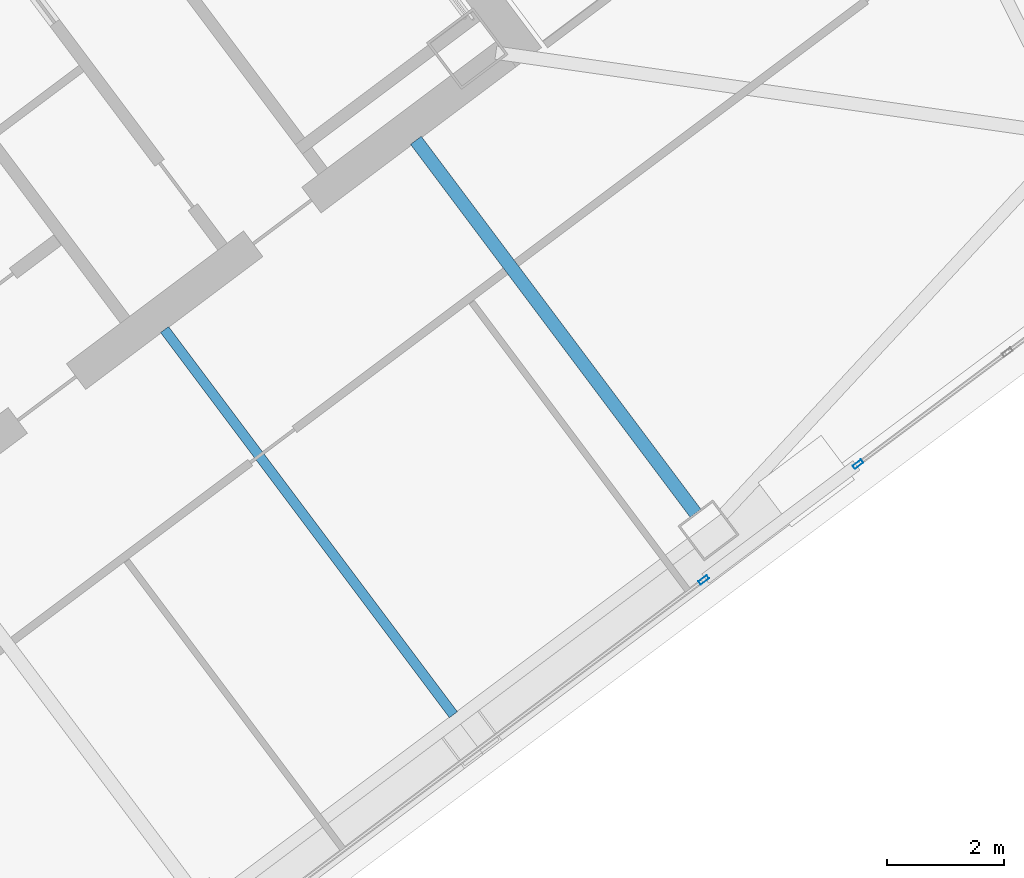
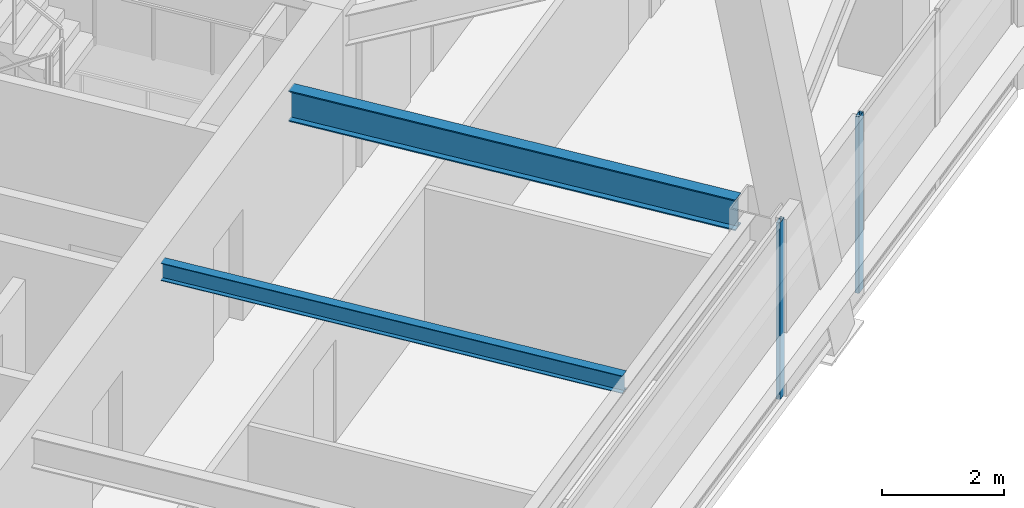
# One storey, part 33 of 55: 2 beams, 2 members, 2 elements without a shape of their own.
"""IFC4 building model written with IfcOpenShell, lengths in metres."""

from ifc_helpers import new_model, si_unit, direction, frame, origin, origin_2d, place, context, subcontext, project, spatial, hollow_rectangle, i_section, extrude, material, material_profile, profile_set, type_object, element, aggregate, save


model = new_model("IFC4")

# Units and contexts
model_context = context("Model", 3, precision=1e-05, world=origin(), true_north=direction((0.0, 1.0)))
body_context = subcontext(model_context, "Body", "Model", "MODEL_VIEW")
ifc_project = project(units=[si_unit("LENGTHUNIT", "METRE"), si_unit("AREAUNIT", "SQUARE_METRE"), si_unit("VOLUMEUNIT", "CUBIC_METRE"), si_unit("PLANEANGLEUNIT", "RADIAN"), si_unit("MASSUNIT", "GRAM", prefix="KILO")], contexts=[model_context])

# Site, building, storey
site_placement = place(None, origin())
site = spatial("IfcSite", under=ifc_project, at=site_placement, CompositionType="ELEMENT")
building_placement = place(site_placement, origin())
building = spatial("IfcBuilding", under=site, at=building_placement, Name="Tashvorn Skyway Center", CompositionType="ELEMENT")
storey_placement = place(building_placement, frame((0.0, 0.0, 178.300048828125)))
storey = spatial("IfcBuildingStorey", under=building, at=storey_placement, Name="L48", CompositionType="ELEMENT", Elevation=178.300048828125)

# Beams
ifc_material_1 = material(Name="Steel ASTM A992 Grade 50", Category="steel")
ifc_material_profile_1 = material_profile(ifc_material_1, i_section(OverallWidth=0.22998046875, OverallDepth=0.616943359375, WebThickness=0.01318359375, FlangeThickness=0.022216796875, at=origin_2d()), Name="W24X94")
ifc_profile_set_1 = profile_set([ifc_material_profile_1], Name="Steel ASTM A992 Grade 50")
beam_type_1 = type_object("IfcBeamType", Name="BM-BEAM-W24X94", PredefinedType="BEAM", material=ifc_profile_set_1)
beam_1_placement = place(storey_placement, frame((127.7880859375, 22.615966796875, 3.0615234375), z_axis=(-0.599995117266, 0.800003662027, 0.0), x_axis=(-0.800003662027, -0.599995117266, 0.0)))
element("IfcBeam", 1, at=beam_1_placement, inside=storey, type_object=beam_type_1, Name="Tower 2 L48 Primary Floor Girder FC-S2", PredefinedType="BEAM", context=body_context, shape_type="SweptSolid", body=[
    extrude(i_section(OverallWidth=0.22998046875, OverallDepth=0.616943359375, WebThickness=0.01318359375, FlangeThickness=0.022216796875, at=origin_2d()), origin(), (0.0, 0.0, 1.0), 8.000244140625),
])
ifc_material_profile_2 = material_profile(ifc_material_1, i_section(OverallWidth=0.1708984375, OverallDepth=0.35498046875, WebThickness=0.007080078125, FlangeThickness=0.01171875, at=origin_2d()), Name="W14X34")
ifc_profile_set_2 = profile_set([ifc_material_profile_2], Name="Steel ASTM A992 Grade 50")
beam_type_2 = type_object("IfcBeamType", Name="BM-JOIST-W14X34", PredefinedType="JOIST", material=ifc_profile_set_2)
beam_2_placement = place(storey_placement, frame((118.674072265625, 25.76806640625, 3.1923828125), z_axis=(0.59999527236, -0.800003545708, 0.0), x_axis=(0.800003545708, 0.59999527236, 0.0)))
element("IfcBeam", 2, at=beam_2_placement, inside=storey, type_object=beam_type_2, Name="Tower 2 L48 Secondary Composite Joist JS", PredefinedType="JOIST", context=body_context, shape_type="SweptSolid", body=[
    extrude(i_section(OverallWidth=0.1708984375, OverallDepth=0.35498046875, WebThickness=0.007080078125, FlangeThickness=0.01171875, at=origin_2d()), origin(), (0.0, 0.0, 1.0), 8.2626953125),
])

# Curtain wall, member
ifc_material_2 = material(Name="Thermally broken bronze-anodized aluminium 6063-T6", Category="aluminium")
curtain_wall_type = type_object("IfcCurtainWallType", Name="CW-CW-Z4", PredefinedType="NOTDEFINED", material=ifc_material_2)
curtain_wall_1_placement = place(storey_placement, origin())
curtain_wall_1 = element("IfcCurtainWall", 3, at=curtain_wall_1_placement, inside=storey, type_object=curtain_wall_type, Name="Tower 2 L48 South Unitised Curtain Wall Glazing Group 1", PredefinedType="NOTDEFINED")
ifc_material_profile_3 = material_profile(ifc_material_2, hollow_rectangle(XDim=0.070068359375, YDim=0.179931640625, WallThickness=0.00390625, at=origin_2d()), Name="ALU-MULL-70x180")
ifc_profile_set_3 = profile_set([ifc_material_profile_3], Name="Thermally broken bronze-anodized aluminium 6063-T6")
member_type = type_object("IfcMemberType", Name="CWM-CW-Z4", PredefinedType="MULLION", material=ifc_profile_set_3)
member_1_placement = place(storey_placement, frame((130.575927734375, 23.45703125, 0.0), z_axis=(0.0, 0.0, 1.0), x_axis=(0.600000000002, -0.799999999998, 0.0)))
member_1 = element("IfcMember", 4, at=member_1_placement, type_object=member_type, Name="CW-Z4 mullion 3", PredefinedType="MULLION", context=body_context, shape_type="SweptSolid", body=[
    extrude(hollow_rectangle(XDim=0.070068359375, YDim=0.179931640625, WallThickness=0.00390625, at=origin_2d()), origin(), (0.0, 0.0, 1.0), 3.550048828125),
])
aggregate(curtain_wall_1, [member_1])

curtain_wall_2_placement = place(storey_placement, origin())
curtain_wall_2 = element("IfcCurtainWall", 5, at=curtain_wall_2_placement, inside=storey, type_object=curtain_wall_type, Name="Tower 2 L48 South Unitised Curtain Wall Glazing Group 2", PredefinedType="NOTDEFINED")
member_2_placement = place(storey_placement, frame((127.927978515625, 21.470947265625, 0.0), z_axis=(0.0, 0.0, 1.0), x_axis=(0.600000000002, -0.799999999998, 0.0)))
member_2 = element("IfcMember", 6, at=member_2_placement, type_object=member_type, Name="CW-Z4 mullion 1", PredefinedType="MULLION", context=body_context, shape_type="SweptSolid", body=[
    extrude(hollow_rectangle(XDim=0.070068359375, YDim=0.179931640625, WallThickness=0.00390625, at=origin_2d()), origin(), (0.0, 0.0, 1.0), 3.550048828125),
])
aggregate(curtain_wall_2, [member_2])

save(model, "model.ifc")
